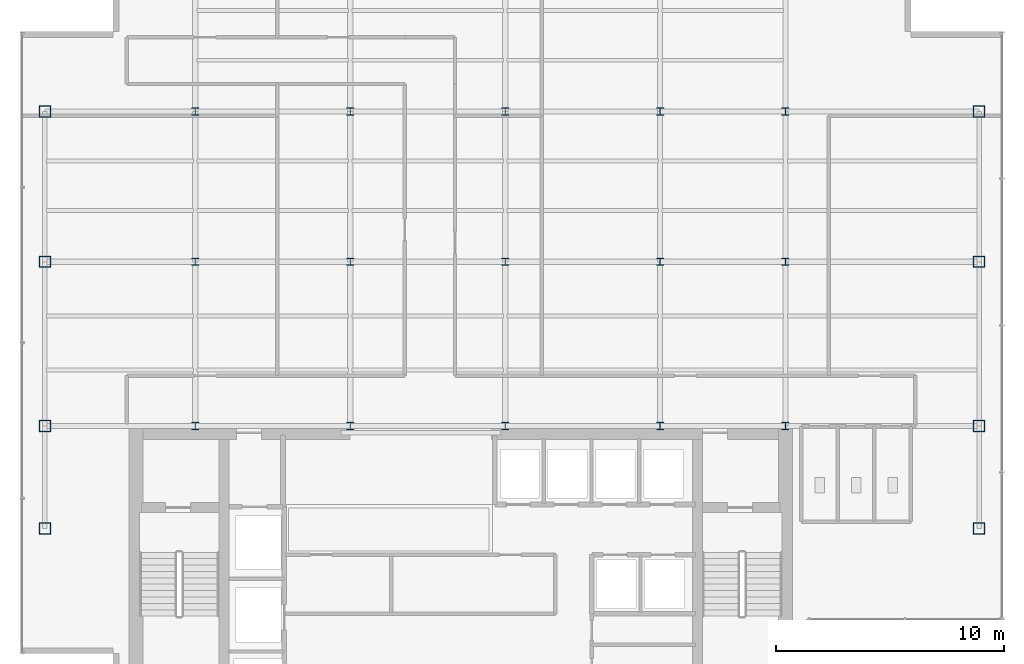
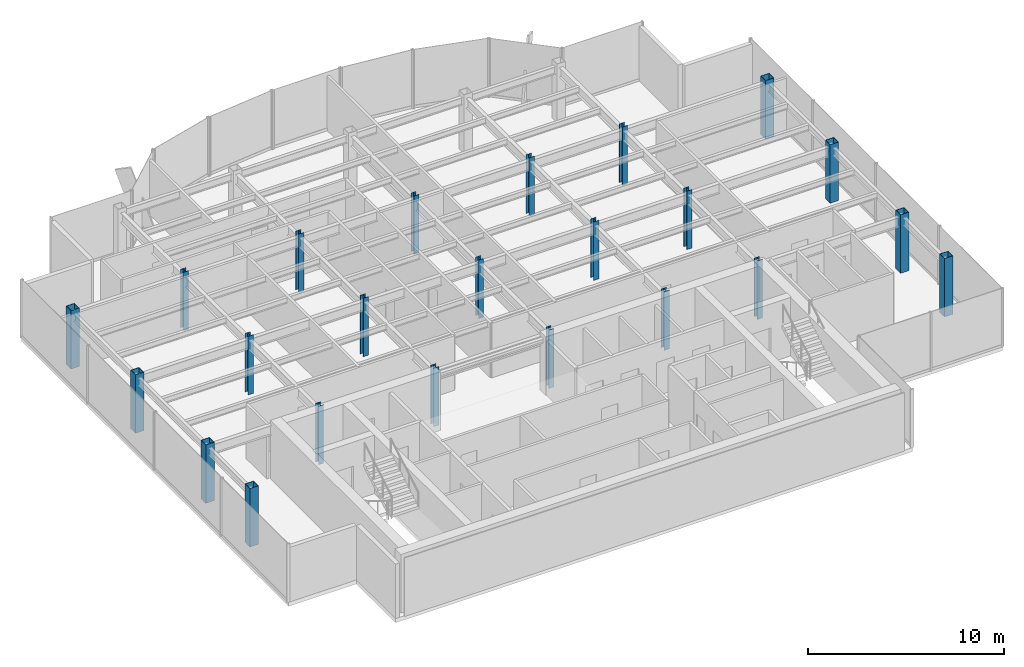
# One storey, part 1 of 22: 23 columns.
"""IFC4 building model written with IfcOpenShell, lengths in metres."""

from ifc_helpers import new_model, si_unit, derived_unit, direction, frame, origin, origin_2d, place, context, subcontext, project, spatial, hollow_rectangle, i_section, extrude, source, transform, mapped, material, material_profile, profile_set, type_object, element, save


model = new_model("IFC4")

# Units and contexts
model_context = context("Model", 3, precision=1e-05, world=origin(), true_north=direction((0.0, 1.0)))
body_context = subcontext(model_context, "Body", "Model", "MODEL_VIEW")
ifc_project = project(units=[si_unit("LENGTHUNIT", "METRE"), si_unit("AREAUNIT", "SQUARE_METRE"), si_unit("VOLUMEUNIT", "CUBIC_METRE"), si_unit("PLANEANGLEUNIT", "RADIAN"), si_unit("MASSUNIT", "GRAM", prefix="KILO"), derived_unit("THERMALTRANSMITTANCEUNIT", [(si_unit("POWERUNIT", "WATT"), 1), (si_unit("LENGTHUNIT", "METRE"), -2), (si_unit("THERMODYNAMICTEMPERATUREUNIT", "KELVIN"), -1)])], contexts=[model_context])

# Site, building, storey
site_placement = place(None, origin())
site = spatial("IfcSite", under=ifc_project, at=site_placement, CompositionType="ELEMENT")
building_placement = place(site_placement, origin())
building = spatial("IfcBuilding", under=site, at=building_placement, Name="Skarnbrae Concourse Arena and Tower", CompositionType="ELEMENT")
storey_placement = place(building_placement, frame((0.0, 0.0, 214.14990234375)))
storey = spatial("IfcBuildingStorey", under=building, at=storey_placement, Name="L55", CompositionType="ELEMENT", Elevation=214.14990234375)

# Columns
ifc_material = material(Name="Steel CSA G40.21 350W", Category="steel")
ifc_material_profile_1 = material_profile(ifc_material, hollow_rectangle(XDim=0.5, YDim=0.5, WallThickness=0.02197265625, at=origin_2d()), Name="HSS500X500X22.0")
ifc_profile_set_1 = profile_set([ifc_material_profile_1], Name="Steel CSA G40.21 350W")
column_type_1 = type_object("IfcColumnType", Name="COL-TUBE-HSS500", PredefinedType="COLUMN", material=ifc_profile_set_1)
shared_shape_1 = source(origin(), body_context, "Body", "SweptSolid", [
    extrude(hollow_rectangle(XDim=0.5, YDim=0.5, WallThickness=0.02197265625, at=origin_2d()), origin(), (0.0, 0.0, 1.0), 3.650146484375),
])
for number, where, z_axis, x_axis, name in (
    (1, (1.0, 9.5, 0.0), (0.0, 0.0, 1.0), (1.0, 0.0, 0.0), "L55 Tower column PC_01_01"),
    (2, (1.0, 14.0, 0.0), (0.0, 0.0, 1.0), (1.0, 0.0, 0.0), "L55 Tower column PC_01_02"),
    (3, (1.0, 21.199951171875, 0.0), (0.0, 0.0, 1.0), (1.0, 0.0, 0.0), "L55 Tower column PC_01_03"),
    (4, (1.0, 27.800048828125, 0.0), (0.0, 0.0, 1.0), (1.0, 0.0, 0.0), "L55 Tower column PC_01_04"),
    (5, (42.0, 9.5, 0.0), (0.0, 0.0, 1.0), (1.0, 0.0, 0.0), "L55 Tower column PC_07_01"),
    (6, (42.0, 14.0, 0.0), (0.0, 0.0, 1.0), (1.0, 0.0, 0.0), "L55 Tower column PC_07_02"),
    (7, (42.0, 21.199951171875, 0.0), (0.0, 0.0, 1.0), (1.0, 0.0, 0.0), "L55 Tower column PC_07_03"),
    (8, (42.0, 27.800048828125, 0.0), (0.0, 0.0, 1.0), (1.0, 0.0, 0.0), "L55 Tower column PC_07_04"),
):
    element("IfcColumn", number, at=place(storey_placement, frame(where, z_axis=z_axis, x_axis=x_axis)), inside=storey, type_object=column_type_1, Name=name, PredefinedType="COLUMN", context=body_context, shape_type="MappedRepresentation", body=[
        mapped(shared_shape_1, transform((0.0, 0.0, 0.0))),
    ])
ifc_material_profile_2 = material_profile(ifc_material, i_section(OverallWidth=0.30908203125, OverallDepth=0.322998046875, WebThickness=0.013916015625, FlangeThickness=0.02294921875, at=origin_2d()), Name="W310X143")
ifc_profile_set_2 = profile_set([ifc_material_profile_2], Name="Steel CSA G40.21 350W")
column_type_2 = type_object("IfcColumnType", Name="COL-INT-W310X143", PredefinedType="COLUMN", material=ifc_profile_set_2)
shared_shape_2 = source(origin(), body_context, "Body", "SweptSolid", [
    extrude(i_section(OverallWidth=0.30908203125, OverallDepth=0.322998046875, WebThickness=0.013916015625, FlangeThickness=0.02294921875, at=origin_2d()), origin(), (0.0, 0.0, 1.0), 3.650146484375),
])
for number, where, z_axis, x_axis, name in (
    (9, (7.60009765625, 14.0, 0.0), (0.0, 0.0, 1.0), (1.0, 0.0, 0.0), "L55 Tower column IC_02_02"),
    (10, (7.60009765625, 21.199951171875, 0.0), (0.0, 0.0, 1.0), (1.0, 0.0, 0.0), "L55 Tower column IC_02_03"),
    (11, (7.60009765625, 27.800048828125, 0.0), (0.0, 0.0, 1.0), (1.0, 0.0, 0.0), "L55 Tower column IC_02_04"),
    (12, (14.39990234375, 14.0, 0.0), (0.0, 0.0, 1.0), (1.0, 0.0, 0.0), "L55 Tower column IC_03_02"),
    (13, (14.39990234375, 21.199951171875, 0.0), (0.0, 0.0, 1.0), (1.0, 0.0, 0.0), "L55 Tower column IC_03_03"),
    (14, (14.39990234375, 27.800048828125, 0.0), (0.0, 0.0, 1.0), (1.0, 0.0, 0.0), "L55 Tower column IC_03_04"),
    (15, (21.199951171875, 14.0, 0.0), (0.0, 0.0, 1.0), (1.0, 0.0, 0.0), "L55 Tower column IC_04_02"),
    (16, (21.199951171875, 21.199951171875, 0.0), (0.0, 0.0, 1.0), (1.0, 0.0, 0.0), "L55 Tower column IC_04_03"),
    (17, (21.199951171875, 27.800048828125, 0.0), (0.0, 0.0, 1.0), (1.0, 0.0, 0.0), "L55 Tower column IC_04_04"),
    (18, (28.0, 14.0, 0.0), (0.0, 0.0, 1.0), (1.0, 0.0, 0.0), "L55 Tower column IC_05_02"),
    (19, (28.0, 21.199951171875, 0.0), (0.0, 0.0, 1.0), (1.0, 0.0, 0.0), "L55 Tower column IC_05_03"),
    (20, (28.0, 27.800048828125, 0.0), (0.0, 0.0, 1.0), (1.0, 0.0, 0.0), "L55 Tower column IC_05_04"),
    (21, (33.5, 14.0, 0.0), (0.0, 0.0, 1.0), (1.0, 0.0, 0.0), "L55 Tower column IC_06_02"),
    (22, (33.5, 21.199951171875, 0.0), (0.0, 0.0, 1.0), (1.0, 0.0, 0.0), "L55 Tower column IC_06_03"),
    (23, (33.5, 27.800048828125, 0.0), (0.0, 0.0, 1.0), (1.0, 0.0, 0.0), "L55 Tower column IC_06_04"),
):
    element("IfcColumn", number, at=place(storey_placement, frame(where, z_axis=z_axis, x_axis=x_axis)), inside=storey, type_object=column_type_2, Name=name, PredefinedType="COLUMN", context=body_context, shape_type="MappedRepresentation", body=[
        mapped(shared_shape_2, transform((0.0, 0.0, 0.0))),
    ])

save(model, "model.ifc")
